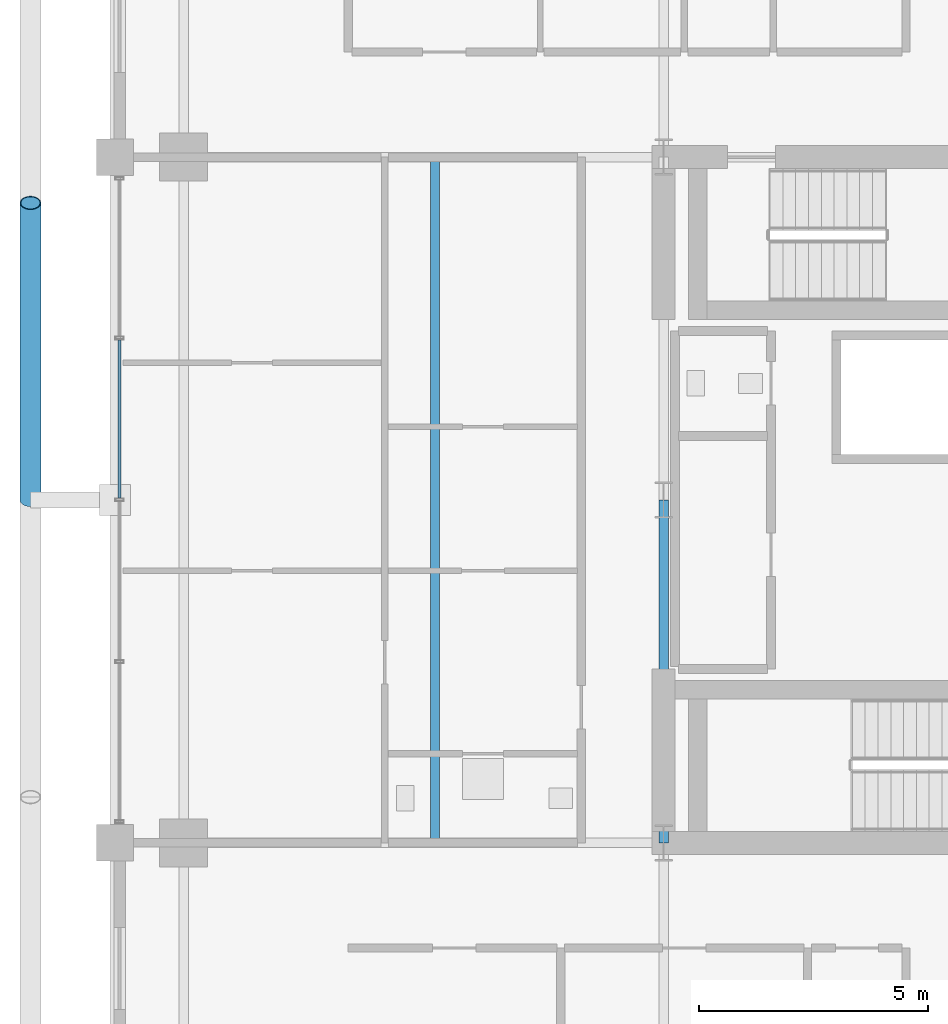
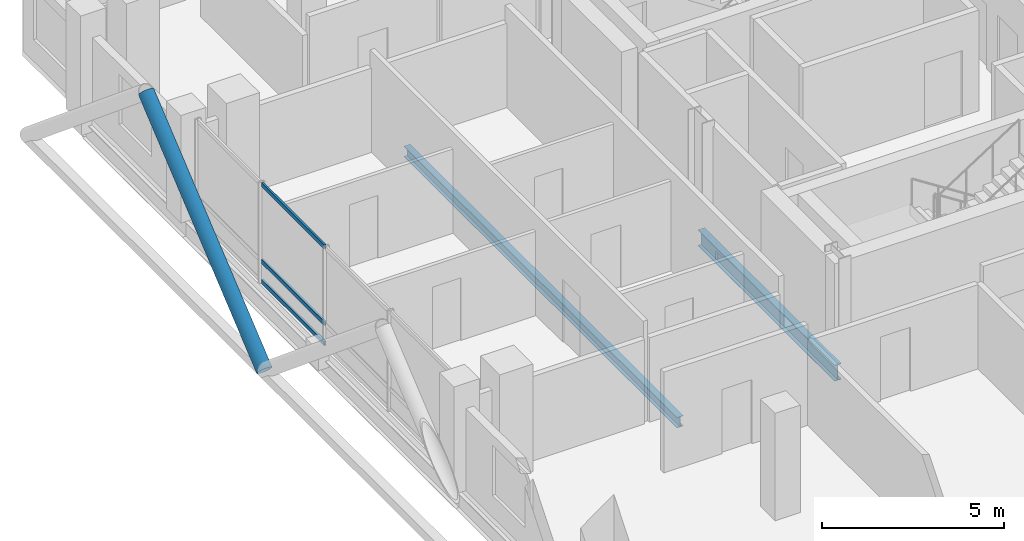
# One storey, part 8 of 26: 4 members, 2 beams, 1 element without a shape of its own.
"""IFC4 building model written with IfcOpenShell, lengths in metres."""

from ifc_helpers import new_model, si_unit, direction, frame, origin, origin_2d, place, context, subcontext, project, spatial, hollow_rectangle, hollow_circle, i_section, extrude, material, layer, layer_set, material_profile, profile_set, type_object, element, aggregate, save


model = new_model("IFC4")

# Units and contexts
model_context = context("Model", 3, precision=1e-05, world=origin(), true_north=direction((0.0, 1.0)))
body_context = subcontext(model_context, "Body", "Model", "MODEL_VIEW")
ifc_project = project(units=[si_unit("LENGTHUNIT", "METRE"), si_unit("AREAUNIT", "SQUARE_METRE"), si_unit("VOLUMEUNIT", "CUBIC_METRE"), si_unit("PLANEANGLEUNIT", "RADIAN"), si_unit("MASSUNIT", "GRAM", prefix="KILO")], contexts=[model_context])

# Site, building, storey
site_placement = place(None, origin())
site = spatial("IfcSite", under=ifc_project, at=site_placement, CompositionType="ELEMENT")
building_placement = place(site_placement, origin())
building = spatial("IfcBuilding", under=site, at=building_placement, Name="Barlavira Tower and Art Museum", CompositionType="ELEMENT")
storey_placement = place(building_placement, frame((0.0, 0.0, 187.199951171875)))
storey = spatial("IfcBuildingStorey", under=building, at=storey_placement, Name="L48", CompositionType="ELEMENT", Elevation=187.199951171875)

# Curtain wall, members
ifc_material_1 = material(Name="Low-iron coastal laminated glass", Category="glass")
ifc_layer = layer(ifc_material_1, 0.199951171875, Name="Low-iron coastal laminated glass")
ifc_layer_set = layer_set([ifc_layer], Name="Low-iron coastal laminated glass")
curtain_wall_type = type_object("IfcCurtainWallType", Name="Pale-Metal Unitised Curtain Wall Zone 3", PredefinedType="NOTDEFINED", material=ifc_layer_set)
curtain_wall_placement = place(storey_placement, origin())
curtain_wall = element("IfcCurtainWall", 1, at=curtain_wall_placement, inside=storey, type_object=curtain_wall_type, Name="L48 Curtain Wall CW3-L48-W-B3", PredefinedType="NOTDEFINED")
ifc_material_2 = material(Name="Pale anodised aluminium", Category="aluminium")
ifc_material_profile_1 = material_profile(ifc_material_2, hollow_rectangle(XDim=0.06494140625, YDim=0.139892578125, WallThickness=0.00390625, at=origin_2d()), Name="ALU-TRAN 65x140x4")
ifc_profile_set_1 = profile_set([ifc_material_profile_1], Name="Pale anodised aluminium")
member_type_1 = type_object("IfcMemberType", Name="Curtain Wall Pale-Metal Transom 65x140", PredefinedType="USERDEFINED", material=ifc_profile_set_1)
member_1_placement = place(storey_placement, frame((-18.39990234375, 3.4951171875, 0.070068359375), z_axis=(0.0, -1.0, 0.0), x_axis=(1.0, 0.0, 0.0)))
member_1 = element("IfcMember", 2, at=member_1_placement, type_object=member_type_1, Name="CW3-L48-W-B3 Transom 1.1", ObjectType="TRANSOM", PredefinedType="USERDEFINED", context=body_context, shape_type="SweptSolid", body=[
    extrude(hollow_rectangle(XDim=0.06494140625, YDim=0.139892578125, WallThickness=0.00390625, at=origin_2d()), origin(), (0.0, 0.0, 1.0), 3.4501953125),
])
member_2_placement = place(storey_placement, frame((-18.39990234375, 3.4951171875, 0.744140625), z_axis=(0.0, -1.0, 0.0), x_axis=(1.0, 0.0, 0.0)))
member_2 = element("IfcMember", 3, at=member_2_placement, type_object=member_type_1, Name="CW3-L48-W-B3 Transom 1.2", ObjectType="TRANSOM", PredefinedType="USERDEFINED", context=body_context, shape_type="SweptSolid", body=[
    extrude(hollow_rectangle(XDim=0.06494140625, YDim=0.139892578125, WallThickness=0.00390625, at=origin_2d()), origin(), (0.0, 0.0, 1.0), 3.4501953125),
])
member_3_placement = place(storey_placement, frame((-18.39990234375, 3.4951171875, 3.31005859375), z_axis=(0.0, -1.0, 0.0), x_axis=(1.0, 0.0, 0.0)))
member_3 = element("IfcMember", 4, at=member_3_placement, type_object=member_type_1, Name="CW3-L48-W-B3 Transom 1.3", ObjectType="TRANSOM", PredefinedType="USERDEFINED", context=body_context, shape_type="SweptSolid", body=[
    extrude(hollow_rectangle(XDim=0.06494140625, YDim=0.139892578125, WallThickness=0.00390625, at=origin_2d()), origin(), (0.0, 0.0, 1.0), 3.4501953125),
])
aggregate(curtain_wall, [member_1, member_2, member_3])

# Member
ifc_material_3 = material(Name="Steel S355", Category="steel")
ifc_material_profile_2 = material_profile(ifc_material_3, hollow_circle(Radius=0.228515625, WallThickness=0.02001953125, at=origin_2d()), Name="CHS 457.0x20.0")
ifc_profile_set_2 = profile_set([ifc_material_profile_2], Name="Steel S355")
member_type_2 = type_object("IfcMemberType", Name="Pale-Metal Exoskeleton Diagrid Tube CHS 457x20 Steel S355", PredefinedType="BRACE", material=ifc_profile_set_2)
member_4_placement = place(storey_placement, frame((-20.35009765625, 0.0, -0.119873046875), z_axis=(0.0, 0.769196053329, 0.639012857104), x_axis=(-1.0, 0.0, 0.0)))
element("IfcMember", 5, at=member_4_placement, inside=storey, type_object=member_type_2, Name="L48 Exoskeleton Diagrid Tube W", PredefinedType="BRACE", context=body_context, shape_type="SweptSolid", body=[
    extrude(hollow_circle(Radius=0.228515625, WallThickness=0.02001953125, at=origin_2d()), origin(), (0.0, 0.0, 1.0), 8.450439453125),
])

# Beams
ifc_material_profile_3 = material_profile(ifc_material_3, i_section(OverallWidth=0.205078125, OverallDepth=0.35400390625, WebThickness=0.009521484375, FlangeThickness=0.016845703125, at=origin_2d()), Name="W360x79.0")
ifc_profile_set_3 = profile_set([ifc_material_profile_3], Name="Steel S355")
beam_type_1 = type_object("IfcBeamType", Name="Zone 3 Composite Floor Joist W360x79 Steel S355", PredefinedType="JOIST", material=ifc_profile_set_3)
beam_1_placement = place(storey_placement, frame((-11.5, -7.5, -0.39697265625), z_axis=(0.0, 1.0, 0.0), x_axis=(-1.0, 0.0, 0.0)))
element("IfcBeam", 6, at=beam_1_placement, inside=storey, type_object=beam_type_1, Name="L48 Joist W1", PredefinedType="JOIST", context=body_context, shape_type="SweptSolid", body=[
    extrude(i_section(OverallWidth=0.205078125, OverallDepth=0.35400390625, WebThickness=0.009521484375, FlangeThickness=0.016845703125, at=origin_2d()), origin(), (0.0, 0.0, 1.0), 15.0),
])
ifc_material_profile_4 = material_profile(ifc_material_3, i_section(OverallWidth=0.2109375, OverallDepth=0.5390625, WebThickness=0.01171875, FlangeThickness=0.018798828125, at=origin_2d()), Name="W530x109.0")
ifc_profile_set_4 = profile_set([ifc_material_profile_4], Name="Steel S355")
beam_type_2 = type_object("IfcBeamType", Name="Zone 3-4 Primary Floor Girder W530x109 Steel S355", PredefinedType="BEAM", material=ifc_profile_set_4)
beam_2_placement = place(storey_placement, frame((-6.5, -7.5, -0.489501953125), z_axis=(0.0, 1.0, 0.0), x_axis=(-1.0, 0.0, 0.0)))
element("IfcBeam", 7, at=beam_2_placement, inside=storey, type_object=beam_type_2, Name="L48 Girder C-W1", PredefinedType="BEAM", context=body_context, shape_type="SweptSolid", body=[
    extrude(i_section(OverallWidth=0.2109375, OverallDepth=0.5390625, WebThickness=0.01171875, FlangeThickness=0.018798828125, at=origin_2d()), origin(), (0.0, 0.0, 1.0), 7.5),
])

save(model, "model.ifc")
